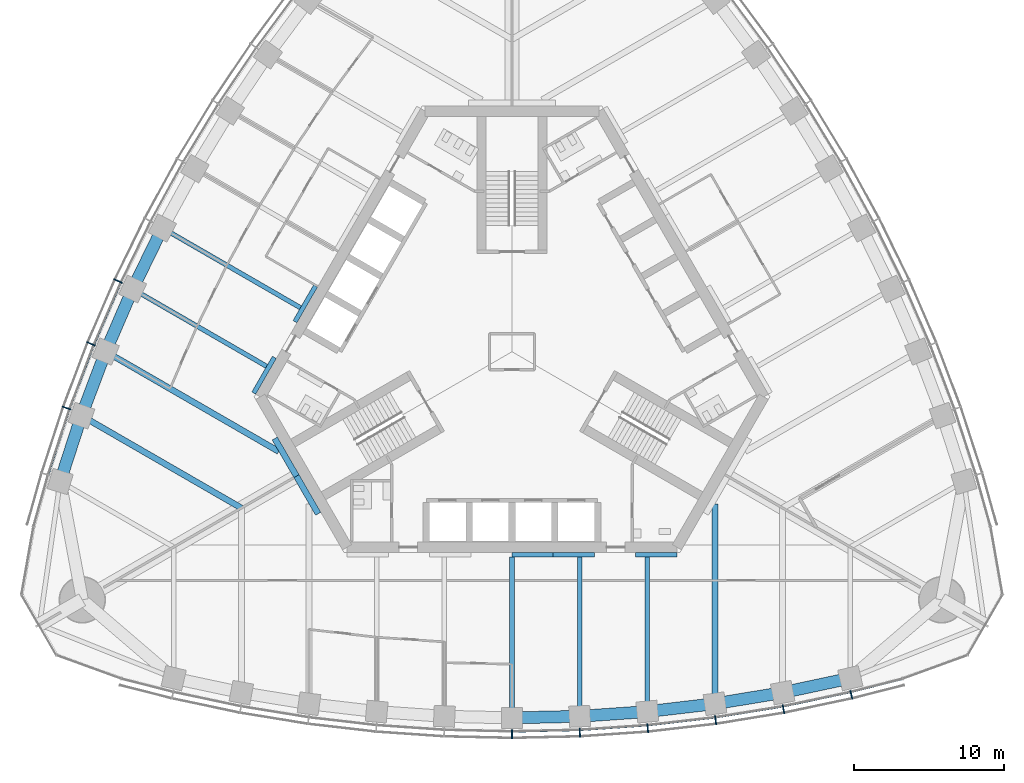
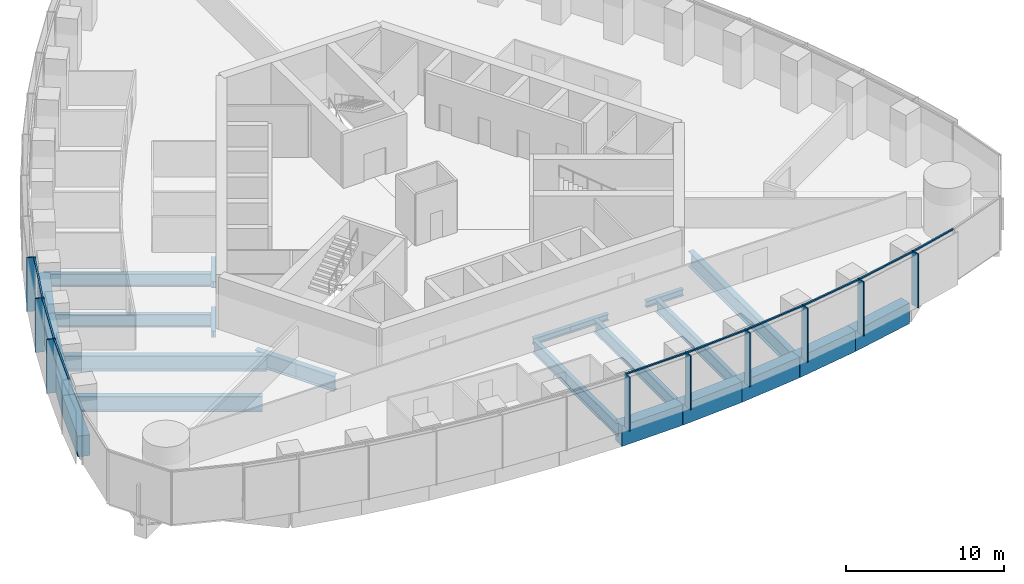
# One storey, part 3 of 19: 24 beams, 18 members, 2 elements without a shape of their own.
"""IFC4 building model written with IfcOpenShell, lengths in metres."""

from ifc_helpers import new_model, si_unit, direction, frame, origin, origin_2d, place, context, subcontext, project, spatial, rectangle, i_section, extrude, material, material_profile, profile_set, type_object, element, aggregate, save


model = new_model("IFC4")

# Units and contexts
model_context = context("Model", 3, precision=1e-05, world=origin(), true_north=direction((0.0, 1.0)))
body_context = subcontext(model_context, "Body", "Model", "MODEL_VIEW")
ifc_project = project(units=[si_unit("LENGTHUNIT", "METRE"), si_unit("AREAUNIT", "SQUARE_METRE"), si_unit("VOLUMEUNIT", "CUBIC_METRE"), si_unit("PLANEANGLEUNIT", "RADIAN"), si_unit("MASSUNIT", "GRAM", prefix="KILO")], contexts=[model_context])

# Site, building, storey
site_placement = place(None, origin())
site = spatial("IfcSite", under=ifc_project, at=site_placement, CompositionType="ELEMENT")
building_placement = place(site_placement, origin())
building = spatial("IfcBuilding", under=site, at=building_placement, Name="Trefoil Bronze Tower", CompositionType="ELEMENT")
storey_placement = place(building_placement, frame((0.0, 0.0, 248.5)))
storey = spatial("IfcBuildingStorey", under=building, at=storey_placement, Name="L57", CompositionType="ELEMENT", Elevation=248.5)

# Curtain wall, members
ifc_material_1 = material(Name="Tinted solar-control glass", Category="glass")
curtain_wall_type = type_object("IfcCurtainWallType", Name="Bronze office curtain wall", PredefinedType="USERDEFINED", material=ifc_material_1)
curtain_wall_1_placement = place(storey_placement, origin())
curtain_wall_1 = element("IfcCurtainWall", 1, at=curtain_wall_1_placement, inside=storey, type_object=curtain_wall_type, Name="CW-A L57 F1", ObjectType="CURTAIN WALL", PredefinedType="USERDEFINED")
ifc_material_2 = material(Name="Bronze-finish aluminium", Category="aluminium")
ifc_material_profile_1 = material_profile(ifc_material_2, rectangle(XDim=0.60009765625, YDim=0.080078125, at=origin_2d()), Name="CW-A mullion")
ifc_profile_set_1 = profile_set([ifc_material_profile_1], Name="Bronze-finish aluminium")
member_type_1 = type_object("IfcMemberType", Name="Bronze office curtain wall mullion", PredefinedType="MULLION", material=ifc_profile_set_1)
member_1_placement = place(storey_placement, frame((0.0, -25.45068359375, 0.0), z_axis=(0.0, 0.0, 1.0), x_axis=(0.0, 1.0, 0.0)))
member_1 = element("IfcMember", 2, at=member_1_placement, type_object=member_type_1, Name="CW-A L57 F1 mullion 7", PredefinedType="MULLION", context=body_context, shape_type="SweptSolid", body=[
    extrude(rectangle(XDim=0.60009765625, YDim=0.080078125, at=origin_2d()), origin(), (0.0, 0.0, 1.0), 4.179931640625),
])
member_2_placement = place(storey_placement, frame((4.513671875, -25.346923828125, 0.0), z_axis=(0.0, 0.0, 1.0), x_axis=(-0.045955542372, 0.998943485952, 0.0)))
member_2 = element("IfcMember", 3, at=member_2_placement, type_object=member_type_1, Name="CW-A L57 F1 mullion 8", PredefinedType="MULLION", context=body_context, shape_type="SweptSolid", body=[
    extrude(rectangle(XDim=0.60009765625, YDim=0.080078125, at=origin_2d()), origin(), (0.0, 0.0, 1.0), 4.179931640625),
])
member_3_placement = place(storey_placement, frame((9.027587890625, -25.03515625, 0.0), z_axis=(0.0, 0.0, 1.0), x_axis=(-0.091911396394, 0.995767189263, 0.0)))
member_3 = element("IfcMember", 4, at=member_3_placement, type_object=member_type_1, Name="CW-A L57 F1 mullion 9", PredefinedType="MULLION", context=body_context, shape_type="SweptSolid", body=[
    extrude(rectangle(XDim=0.60009765625, YDim=0.080078125, at=origin_2d()), origin(), (0.0, 0.0, 1.0), 4.179931640625),
])
member_4_placement = place(storey_placement, frame((13.541259765625, -24.51318359375, 0.0), z_axis=(0.0, 0.0, 1.0), x_axis=(-0.137867887204, 0.990450627582, 0.0)))
member_4 = element("IfcMember", 5, at=member_4_placement, type_object=member_type_1, Name="CW-A L57 F1 mullion 10", PredefinedType="MULLION", context=body_context, shape_type="SweptSolid", body=[
    extrude(rectangle(XDim=0.60009765625, YDim=0.080078125, at=origin_2d()), origin(), (0.0, 0.0, 1.0), 4.179931640625),
])
member_5_placement = place(storey_placement, frame((18.05517578125, -23.77783203125, 0.0), z_axis=(0.0, 0.0, 1.0), x_axis=(-0.183825368167, 0.982958917767, 0.0)))
member_5 = element("IfcMember", 6, at=member_5_placement, type_object=member_type_1, Name="CW-A L57 F1 mullion 11", PredefinedType="MULLION", context=body_context, shape_type="SweptSolid", body=[
    extrude(rectangle(XDim=0.60009765625, YDim=0.080078125, at=origin_2d()), origin(), (0.0, 0.0, 1.0), 4.179931640625),
])
member_6_placement = place(storey_placement, frame((22.568115234375, -22.82421875, 0.0), z_axis=(0.0, 0.0, 1.0), x_axis=(-0.227082662569, 0.973875487093, 0.0)))
member_6 = element("IfcMember", 7, at=member_6_placement, type_object=member_type_1, Name="CW-A L57 F1 mullion 12", PredefinedType="MULLION", context=body_context, shape_type="SweptSolid", body=[
    extrude(rectangle(XDim=0.60009765625, YDim=0.080078125, at=origin_2d()), origin(), (0.0, 0.0, 1.0), 4.179931640625),
])

curtain_wall_2_placement = place(storey_placement, origin())
curtain_wall_2 = element("IfcCurtainWall", 8, at=curtain_wall_2_placement, inside=storey, type_object=curtain_wall_type, Name="CW-A L57 F3", ObjectType="CURTAIN WALL", PredefinedType="USERDEFINED")
member_7_placement = place(storey_placement, frame((-26.19482421875, 4.699462890625, 0.0), z_axis=(0.0, 0.0, 1.0), x_axis=(0.908315380354, -0.418285990457, 0.0)))
member_7 = element("IfcMember", 9, at=member_7_placement, type_object=member_type_1, Name="CW-A L57 F3 mullion 9", PredefinedType="MULLION", context=body_context, shape_type="SweptSolid", body=[
    extrude(rectangle(XDim=0.60009765625, YDim=0.080078125, at=origin_2d()), origin(), (0.0, 0.0, 1.0), 4.179931640625),
])
member_8_placement = place(storey_placement, frame((-27.999755859375, 0.529541015625, 0.0), z_axis=(0.0, 0.0, 1.0), x_axis=(0.926689348282, -0.375828221106, 0.0)))
member_8 = element("IfcMember", 10, at=member_8_placement, type_object=member_type_1, Name="CW-A L57 F3 mullion 10", PredefinedType="MULLION", context=body_context, shape_type="SweptSolid", body=[
    extrude(rectangle(XDim=0.60009765625, YDim=0.080078125, at=origin_2d()), origin(), (0.0, 0.0, 1.0), 4.179931640625),
])
member_9_placement = place(storey_placement, frame((-29.619873046875, -3.747314453125, 0.0), z_axis=(0.0, 0.0, 1.0), x_axis=(0.943180077746, -0.332282020191, 0.0)))
member_9 = element("IfcMember", 11, at=member_9_placement, type_object=member_type_1, Name="CW-A L57 F3 mullion 11", PredefinedType="MULLION", context=body_context, shape_type="SweptSolid", body=[
    extrude(rectangle(XDim=0.60009765625, YDim=0.080078125, at=origin_2d()), origin(), (0.0, 0.0, 1.0), 4.179931640625),
])

# Member
ifc_material_3 = material(Name="Bronze-finish aluminium", Category="aluminium")
ifc_material_profile_2 = material_profile(ifc_material_3, rectangle(XDim=0.1201171875, YDim=0.10009765625, at=origin_2d()), Name="CW-A transom")
ifc_profile_set_2 = profile_set([ifc_material_profile_2], Name="Bronze-finish aluminium")
member_type_2 = type_object("IfcMemberType", Name="Bronze office curtain wall transom", PredefinedType="USERDEFINED", material=ifc_profile_set_2)
member_10_placement = place(storey_placement, frame((0.042236328125, -25.249755859375, 4.1298828125), z_axis=(0.999736131416, 0.022971015226, 0.0), x_axis=(-0.022971015226, 0.999736131416, 0.0)))
member_10 = element("IfcMember", 12, at=member_10_placement, type_object=member_type_2, Name="CW-A L57 F1 transom 7", ObjectType="TRANSOM", PredefinedType="USERDEFINED", context=body_context, shape_type="SweptSolid", body=[
    extrude(rectangle(XDim=0.1201171875, YDim=0.10009765625, at=origin_2d()), origin(), (0.0, 0.0, 1.0), 4.42138671875),
])

member_11_placement = place(storey_placement, frame((4.546875, -25.144287109375, 4.1298828125), z_axis=(0.997621320987, 0.06893257512, 0.0), x_axis=(-0.06893257512, 0.997621320987, 0.0)))
member_11 = element("IfcMember", 13, at=member_11_placement, type_object=member_type_2, Name="CW-A L57 F1 transom 8", ObjectType="TRANSOM", PredefinedType="USERDEFINED", context=body_context, shape_type="SweptSolid", body=[
    extrude(rectangle(XDim=0.1201171875, YDim=0.10009765625, at=origin_2d()), origin(), (0.0, 0.0, 1.0), 4.4306640625),
])

member_12_placement = place(storey_placement, frame((9.05126953125, -24.8310546875, 4.1298828125), z_axis=(0.993384885596, 0.114832352013, 0.0), x_axis=(-0.114832352013, 0.993384885596, 0.0)))
member_12 = element("IfcMember", 14, at=member_12_placement, type_object=member_type_2, Name="CW-A L57 F1 transom 9", ObjectType="TRANSOM", PredefinedType="USERDEFINED", context=body_context, shape_type="SweptSolid", body=[
    extrude(rectangle(XDim=0.1201171875, YDim=0.10009765625, at=origin_2d()), origin(), (0.0, 0.0, 1.0), 4.449951171875),
])

member_13_placement = place(storey_placement, frame((13.5556640625, -24.308349609375, 4.1298828125), z_axis=(0.986988367046, 0.160791676761, 0.0), x_axis=(-0.160791676761, 0.986988367046, 0.0)))
member_13 = element("IfcMember", 15, at=member_13_placement, type_object=member_type_2, Name="CW-A L57 F1 transom 10", ObjectType="TRANSOM", PredefinedType="USERDEFINED", context=body_context, shape_type="SweptSolid", body=[
    extrude(rectangle(XDim=0.1201171875, YDim=0.10009765625, at=origin_2d()), origin(), (0.0, 0.0, 1.0), 4.479248046875),
])

member_14_placement = place(storey_placement, frame((18.059814453125, -23.572509765625, 4.1298828125), z_axis=(0.978395325657, 0.20674280334, 0.0), x_axis=(-0.20674280334, 0.978395325657, 0.0)))
member_14 = element("IfcMember", 16, at=member_14_placement, type_object=member_type_2, Name="CW-A L57 F1 transom 11", ObjectType="TRANSOM", PredefinedType="USERDEFINED", context=body_context, shape_type="SweptSolid", body=[
    extrude(rectangle(XDim=0.1201171875, YDim=0.10009765625, at=origin_2d()), origin(), (0.0, 0.0, 1.0), 4.519287109375),
])

member_15_placement = place(storey_placement, frame((22.5634765625, -22.618896484375, 4.1298828125), z_axis=(0.968935220916, 0.247314653162, 0.0), x_axis=(-0.247314653162, 0.968935220916, 0.0)))
member_15 = element("IfcMember", 17, at=member_15_placement, type_object=member_type_2, Name="CW-A L57 F1 transom 12", ObjectType="TRANSOM", PredefinedType="USERDEFINED", context=body_context, shape_type="SweptSolid", body=[
    extrude(rectangle(XDim=0.1201171875, YDim=0.10009765625, at=origin_2d()), origin(), (0.0, 0.0, 1.0), 3.483642578125),
])

aggregate(curtain_wall_1, [member_1, member_2, member_3, member_4, member_5, member_6, member_10, member_11, member_12, member_13, member_14, member_15])

member_16_placement = place(storey_placement, frame((-26.030029296875, 4.576904296875, 4.1298828125), z_axis=(-0.397220936772, -0.917723012346, 0.0), x_axis=(0.917723012346, -0.397220936772, 0.0)))
member_16 = element("IfcMember", 18, at=member_16_placement, type_object=member_type_2, Name="CW-A L57 F3 transom 9", ObjectType="TRANSOM", PredefinedType="USERDEFINED", context=body_context, shape_type="SweptSolid", body=[
    extrude(rectangle(XDim=0.1201171875, YDim=0.10009765625, at=origin_2d()), origin(), (0.0, 0.0, 1.0), 4.449951171875),
])

member_17_placement = place(storey_placement, frame((-27.829345703125, 0.414794921875, 4.1298828125), z_axis=(-0.354263170896, -0.935145767112, 0.0), x_axis=(0.935145767112, -0.354263170896, 0.0)))
member_17 = element("IfcMember", 19, at=member_17_placement, type_object=member_type_2, Name="CW-A L57 F3 transom 10", ObjectType="TRANSOM", PredefinedType="USERDEFINED", context=body_context, shape_type="SweptSolid", body=[
    extrude(rectangle(XDim=0.1201171875, YDim=0.10009765625, at=origin_2d()), origin(), (0.0, 0.0, 1.0), 4.4794921875),
])

member_18_placement = place(storey_placement, frame((-29.4443359375, -3.85400390625, 4.1298828125), z_axis=(-0.310127806788, -0.950694874004, 0.0), x_axis=(0.950694874004, -0.310127806788, 0.0)))
member_18 = element("IfcMember", 20, at=member_18_placement, type_object=member_type_2, Name="CW-A L57 F3 transom 11", ObjectType="TRANSOM", PredefinedType="USERDEFINED", context=body_context, shape_type="SweptSolid", body=[
    extrude(rectangle(XDim=0.1201171875, YDim=0.10009765625, at=origin_2d()), origin(), (0.0, 0.0, 1.0), 4.51953125),
])

aggregate(curtain_wall_2, [member_7, member_8, member_9, member_16, member_17, member_18])

# Beams
ifc_material_4 = material(Name="Steel C355", Category="steel")
ifc_material_profile_3 = material_profile(ifc_material_4, i_section(OverallWidth=0.300048828125, OverallDepth=0.5, WebThickness=0.014404296875, FlangeThickness=0.028076171875, FilletRadius=0.027099609375, at=origin_2d()), Name="HEB 500")
ifc_profile_set_3 = profile_set([ifc_material_profile_3], Name="Steel C355")
beam_type_1 = type_object("IfcBeamType", Name="Core seat beam HEB 500", PredefinedType="BEAM", material=ifc_profile_set_3)
for number, where, z_axis, x_axis, name in (
    (21, (0.0, -13.5, -0.449951171875), (1.0, 0.0, 0.0), (0.0, 1.0, 0.0), "Core seat beam F1/+0 L57"),
    (22, (2.742431640625, -13.5, -0.449951171875), (1.0, 0.0, 0.0), (0.0, 1.0, 0.0), "Core seat beam F1/+1 L57"),
    (23, (8.227294921875, -13.5, -0.449951171875), (1.0, 0.0, 0.0), (0.0, 1.0, 0.0), "Core seat beam F1/+2 L57"),
    (24, (-13.0625, 4.375, -0.449951171875), (-0.500035825175, -0.866004719122, 0.0), (0.866004719122, -0.500035825175, 0.0), "Core seat beam F3/+1 L57"),
    (25, (-15.804931640625, -0.375, -0.449951171875), (-0.500035825175, -0.866004719122, 0.0), (0.866004719122, -0.500035825175, 0.0), "Core seat beam F3/+2 L57"),
):
    element("IfcBeam", number, at=place(storey_placement, frame(where, z_axis=z_axis, x_axis=x_axis)), inside=storey, type_object=beam_type_1, Name=name, PredefinedType="BEAM", context=body_context, shape_type="SweptSolid", body=[
        extrude(i_section(OverallWidth=0.300048828125, OverallDepth=0.5, WebThickness=0.014404296875, FlangeThickness=0.028076171875, FilletRadius=0.027099609375, at=origin_2d()), origin(), (0.0, 0.0, 1.0), 2.742431640625),
    ])
ifc_material_5 = material(Name="Steel C355", Category="steel")
ifc_material_profile_4 = material_profile(ifc_material_5, i_section(OverallWidth=0.39990234375, OverallDepth=1.199951171875, WebThickness=0.02001953125, FlangeThickness=0.0400390625, FilletRadius=0.010009765625, at=origin_2d()), Name="WPG 1200")
ifc_profile_set_4 = profile_set([ifc_material_profile_4], Name="Steel C355")
beam_type_2 = type_object("IfcBeamType", Name="Core seat beam WPG 1200", PredefinedType="BEAM", material=ifc_profile_set_4)
for number, where, z_axis, x_axis, name in (
    (26, (-14.332763671875, -8.27490234375, -0.800048828125), (0.499995765644, -0.866027848477, 0.0), (0.866027848477, 0.499995765644, 0.0), "Core seat beam F1/-3 L57"),
    (27, (-15.776123046875, -5.77490234375, -0.800048828125), (0.499995765644, -0.866027848477, 0.0), (0.866027848477, 0.499995765644, 0.0), "Core seat beam F3/+3 L57"),
):
    element("IfcBeam", number, at=place(storey_placement, frame(where, z_axis=z_axis, x_axis=x_axis)), inside=storey, type_object=beam_type_2, Name=name, PredefinedType="BEAM", context=body_context, shape_type="SweptSolid", body=[
        extrude(i_section(OverallWidth=0.39990234375, OverallDepth=1.199951171875, WebThickness=0.02001953125, FlangeThickness=0.0400390625, FilletRadius=0.010009765625, at=origin_2d()), origin(), (0.0, 0.0, 1.0), 2.88671875),
    ])
ifc_material_6 = material(Name="Steel C355", Category="steel")
ifc_material_profile_5 = material_profile(ifc_material_6, i_section(OverallWidth=0.300048828125, OverallDepth=1.0, WebThickness=0.01904296875, FlangeThickness=0.035888671875, FilletRadius=0.030029296875, at=origin_2d()), Name="HEB 1000")
ifc_profile_set_5 = profile_set([ifc_material_profile_5], Name="Steel C355")
beam_type_3 = type_object("IfcBeamType", Name="Floor beam HEB 1000", PredefinedType="BEAM", material=ifc_profile_set_5)
for number, where, z_axis, x_axis, name in (
    (28, (9.0, -23.932861328125, -0.699951171875), (0.0, 1.0, 0.0), (-1.0, 0.0, 0.0), "Floor beam F1/+2 L57"),
    (29, (-25.2265625, 4.17236328125, -0.699951171875), (0.866019527493, -0.500010177898, 0.0), (0.500010177898, 0.866019527493, 0.0), "Floor beam F3/+2 L57"),
):
    element("IfcBeam", number, at=place(storey_placement, frame(where, z_axis=z_axis, x_axis=x_axis)), inside=storey, type_object=beam_type_3, Name=name, PredefinedType="BEAM", context=body_context, shape_type="SweptSolid", body=[
        extrude(i_section(OverallWidth=0.300048828125, OverallDepth=1.0, WebThickness=0.01904296875, FlangeThickness=0.035888671875, FilletRadius=0.030029296875, at=origin_2d()), origin(), (0.0, 0.0, 1.0), 10.282958984375),
    ])
ifc_material_7 = material(Name="Steel C355", Category="steel")
ifc_material_profile_6 = material_profile(ifc_material_7, i_section(OverallWidth=0.302001953125, OverallDepth=1.008056640625, WebThickness=0.02099609375, FlangeThickness=0.0400390625, FilletRadius=0.030029296875, at=origin_2d()), Name="HEM 1000")
ifc_profile_set_6 = profile_set([ifc_material_profile_6], Name="Steel C355")
beam_type_4 = type_object("IfcBeamType", Name="Floor beam HEM 1000", PredefinedType="BEAM", material=ifc_profile_set_6)
beam_1_placement = place(storey_placement, frame((0.0, -24.3505859375, -0.7041015625), z_axis=(0.0, 1.0, 0.0), x_axis=(-1.0, 0.0, 0.0)))
element("IfcBeam", 30, at=beam_1_placement, inside=storey, type_object=beam_type_4, Name="Floor beam F1/+0 L57", PredefinedType="BEAM", context=body_context, shape_type="SweptSolid", body=[
    extrude(i_section(OverallWidth=0.302001953125, OverallDepth=1.008056640625, WebThickness=0.02099609375, FlangeThickness=0.0400390625, FilletRadius=0.030029296875, at=origin_2d()), origin(), (0.0, 0.0, 1.0), 10.70068359375),
])
for number, where, z_axis, x_axis, name in (
    (31, (4.5, -24.246337890625, -0.7041015625), (0.0, 1.0, 0.0), (-1.0, 0.0, 0.0), "Floor beam F1/+1 L57"),
    (32, (-23.248046875, 8.22607421875, -0.7041015625), (0.86602981261, -0.499992363612, 0.0), (0.499992363612, 0.86602981261, 0.0), "Floor beam F3/+1 L57"),
):
    element("IfcBeam", number, at=place(storey_placement, frame(where, z_axis=z_axis, x_axis=x_axis)), inside=storey, type_object=beam_type_4, Name=name, PredefinedType="BEAM", context=body_context, shape_type="SweptSolid", body=[
        extrude(i_section(OverallWidth=0.302001953125, OverallDepth=1.008056640625, WebThickness=0.02099609375, FlangeThickness=0.0400390625, FilletRadius=0.030029296875, at=origin_2d()), origin(), (0.0, 0.0, 1.0), 10.596435546875),
    ])
ifc_material_8 = material(Name="Steel C355", Category="steel")
ifc_material_profile_7 = material_profile(ifc_material_8, i_section(OverallWidth=0.39990234375, OverallDepth=1.199951171875, WebThickness=0.02001953125, FlangeThickness=0.0400390625, FilletRadius=0.010009765625, at=origin_2d()), Name="WPG 1200")
ifc_profile_set_7 = profile_set([ifc_material_profile_7], Name="Steel C355")
beam_type_5 = type_object("IfcBeamType", Name="Floor beam WPG 1200", PredefinedType="BEAM", material=ifc_profile_set_7)
for number, where, z_axis, x_axis, name in (
    (33, (13.5, -23.408447265625, -0.800048828125), (0.0, 1.0, 0.0), (-1.0, 0.0, 0.0), "Floor beam F1/+3 L57"),
    (34, (-27.022216796875, 0.012939453125, -0.800048828125), (0.866023461342, -0.500003364394, 0.0), (0.500003364394, 0.866023461342, 0.0), "Floor beam F3/+3 L57"),
):
    element("IfcBeam", number, at=place(storey_placement, frame(where, z_axis=z_axis, x_axis=x_axis)), inside=storey, type_object=beam_type_5, Name=name, PredefinedType="BEAM", context=body_context, shape_type="SweptSolid", body=[
        extrude(i_section(OverallWidth=0.39990234375, OverallDepth=1.199951171875, WebThickness=0.02001953125, FlangeThickness=0.0400390625, FilletRadius=0.010009765625, at=origin_2d()), origin(), (0.0, 0.0, 1.0), 13.291015625),
    ])
beam_2_placement = place(storey_placement, frame((-28.632080078125, -4.25390625, -0.800048828125), z_axis=(0.866025635187, -0.499999599199, 0.0), x_axis=(0.499999599199, 0.866025635187, 0.0)))
element("IfcBeam", 35, at=beam_2_placement, inside=storey, type_object=beam_type_5, Name="Floor beam F3/+4 L57", PredefinedType="BEAM", context=body_context, shape_type="SweptSolid", body=[
    extrude(i_section(OverallWidth=0.39990234375, OverallDepth=1.199951171875, WebThickness=0.02001953125, FlangeThickness=0.0400390625, FilletRadius=0.010009765625, at=origin_2d()), origin(), (0.0, 0.0, 1.0), 12.27685546875),
])
ifc_material_9 = material(Name="Concrete B80", Category="concrete")
ifc_material_profile_8 = material_profile(ifc_material_9, rectangle(XDim=0.800048828125, YDim=1.60009765625, at=origin_2d()), Name="RC 800x1600")
ifc_profile_set_8 = profile_set([ifc_material_profile_8], Name="Concrete B80")
beam_type_6 = type_object("IfcBeamType", Name="Spandrel beam RC 800x1600", PredefinedType="SPANDREL", material=ifc_profile_set_8)
beam_3_placement = place(storey_placement, frame((0.0, -24.3505859375, -1.0), z_axis=(0.999731770792, 0.023160018779, 0.0), x_axis=(-0.023160018779, 0.999731770792, 0.0)))
element("IfcBeam", 36, at=beam_3_placement, inside=storey, type_object=beam_type_6, Name="Spandrel F1.7 L57", PredefinedType="SPANDREL", context=body_context, shape_type="SweptSolid", body=[
    extrude(rectangle(XDim=0.800048828125, YDim=1.60009765625, at=origin_2d()), origin(), (0.0, 0.0, 1.0), 4.501220703125),
])
beam_4_placement = place(storey_placement, frame((4.5, -24.246337890625, -1.0), z_axis=(0.997582435881, 0.069493047291, 0.0), x_axis=(-0.069493047291, 0.997582435881, 0.0)))
element("IfcBeam", 37, at=beam_4_placement, inside=storey, type_object=beam_type_6, Name="Spandrel F1.8 L57", PredefinedType="SPANDREL", context=body_context, shape_type="SweptSolid", body=[
    extrude(rectangle(XDim=0.800048828125, YDim=1.60009765625, at=origin_2d()), origin(), (0.0, 0.0, 1.0), 4.510986328125),
])
beam_5_placement = place(storey_placement, frame((9.0, -23.932861328125, -1.0), z_axis=(0.993278017132, 0.115753102257, 0.0), x_axis=(-0.115753102257, 0.993278017132, 0.0)))
element("IfcBeam", 38, at=beam_5_placement, inside=storey, type_object=beam_type_6, Name="Spandrel F1.9 L57", PredefinedType="SPANDREL", context=body_context, shape_type="SweptSolid", body=[
    extrude(rectangle(XDim=0.800048828125, YDim=1.60009765625, at=origin_2d()), origin(), (0.0, 0.0, 1.0), 4.530517578125),
])
beam_6_placement = place(storey_placement, frame((13.5, -23.408447265625, -1.0), z_axis=(0.986764681833, 0.162158757664, 0.0), x_axis=(-0.162158757664, 0.986764681833, 0.0)))
element("IfcBeam", 39, at=beam_6_placement, inside=storey, type_object=beam_type_6, Name="Spandrel F1.10 L57", PredefinedType="SPANDREL", context=body_context, shape_type="SweptSolid", body=[
    extrude(rectangle(XDim=0.800048828125, YDim=1.60009765625, at=origin_2d()), origin(), (0.0, 0.0, 1.0), 4.560302734375),
])
beam_7_placement = place(storey_placement, frame((18.0, -22.6689453125, -1.0), z_axis=(0.978059483036, 0.208325820877, 0.0), x_axis=(-0.208325820877, 0.978059483036, 0.0)))
element("IfcBeam", 40, at=beam_7_placement, inside=storey, type_object=beam_type_6, Name="Spandrel F1.11 L57", PredefinedType="SPANDREL", context=body_context, shape_type="SweptSolid", body=[
    extrude(rectangle(XDim=0.800048828125, YDim=1.60009765625, at=origin_2d()), origin(), (0.0, 0.0, 1.0), 4.600830078125),
])
beam_8_placement = place(storey_placement, frame((-23.248046875, 8.22607421875, -1.0), z_axis=(-0.438619830351, -0.898672712629, 0.0), x_axis=(0.898672712629, -0.438619830351, 0.0)))
element("IfcBeam", 41, at=beam_8_placement, inside=storey, type_object=beam_type_6, Name="Spandrel F3.8 L57", PredefinedType="SPANDREL", context=body_context, shape_type="SweptSolid", body=[
    extrude(rectangle(XDim=0.800048828125, YDim=1.60009765625, at=origin_2d()), origin(), (0.0, 0.0, 1.0), 4.5107421875),
])
beam_9_placement = place(storey_placement, frame((-25.2265625, 4.17236328125, -1.0), z_axis=(-0.396350337164, -0.918099346602, 0.0), x_axis=(0.918099346602, -0.396350337164, 0.0)))
element("IfcBeam", 42, at=beam_9_placement, inside=storey, type_object=beam_type_6, Name="Spandrel F3.9 L57", PredefinedType="SPANDREL", context=body_context, shape_type="SweptSolid", body=[
    extrude(rectangle(XDim=0.800048828125, YDim=1.60009765625, at=origin_2d()), origin(), (0.0, 0.0, 1.0), 4.530517578125),
])
beam_10_placement = place(storey_placement, frame((-27.022216796875, 0.012939453125, -1.0), z_axis=(-0.353005969632, -0.935621069346, 0.0), x_axis=(0.935621069346, -0.353005969632, 0.0)))
element("IfcBeam", 43, at=beam_10_placement, inside=storey, type_object=beam_type_6, Name="Spandrel F3.10 L57", PredefinedType="SPANDREL", context=body_context, shape_type="SweptSolid", body=[
    extrude(rectangle(XDim=0.800048828125, YDim=1.60009765625, at=origin_2d()), origin(), (0.0, 0.0, 1.0), 4.560546875),
])
beam_11_placement = place(storey_placement, frame((-28.632080078125, -4.25390625, -1.0), z_axis=(-0.308608505504, -0.951189145402, 0.0), x_axis=(0.951189145402, -0.308608505504, 0.0)))
element("IfcBeam", 44, at=beam_11_placement, inside=storey, type_object=beam_type_6, Name="Spandrel F3.11 L57", PredefinedType="SPANDREL", context=body_context, shape_type="SweptSolid", body=[
    extrude(rectangle(XDim=0.800048828125, YDim=1.60009765625, at=origin_2d()), origin(), (0.0, 0.0, 1.0), 4.60107421875),
])

save(model, "model.ifc")
